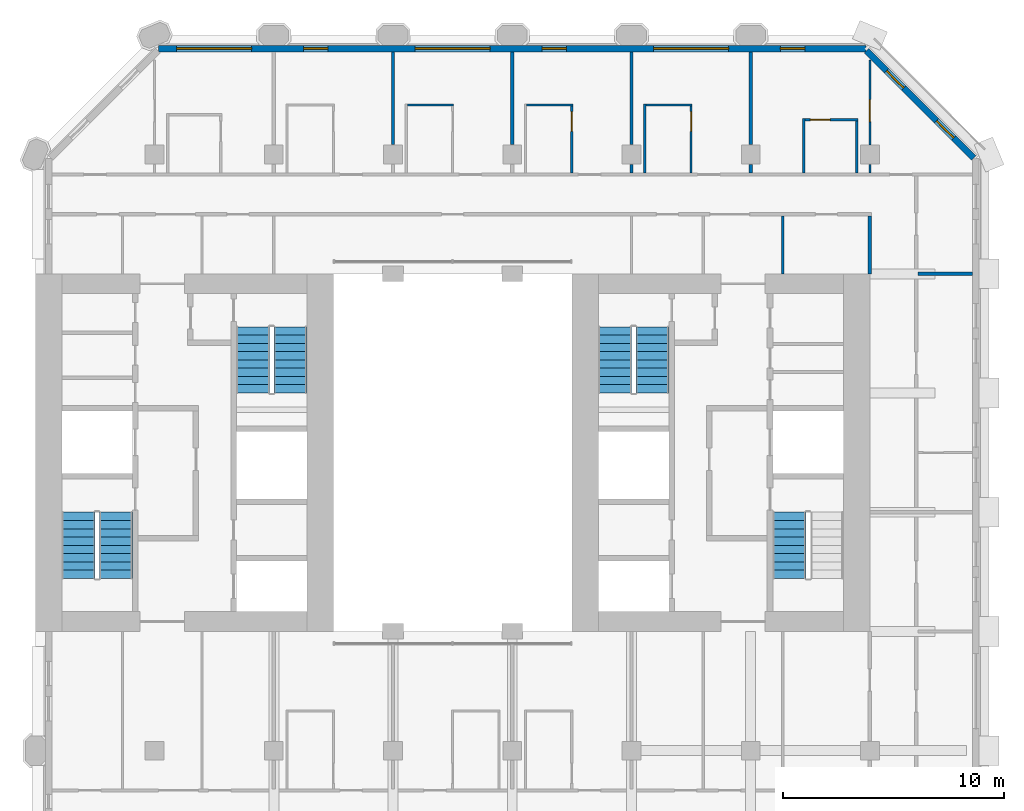
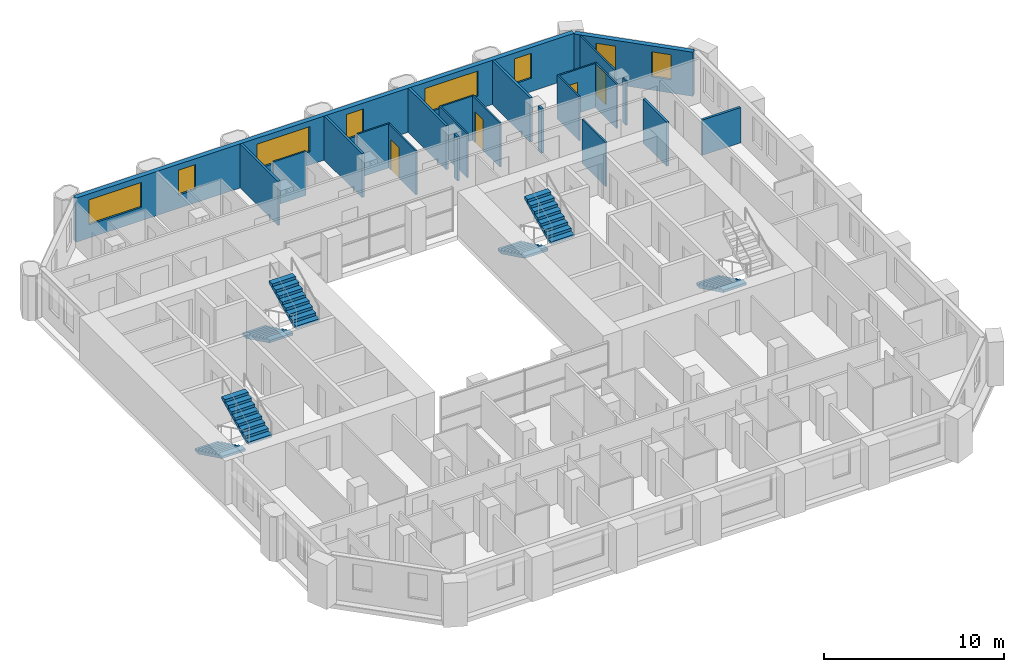
# One storey, part 13 of 16: 22 walls, 8 windows, 7 stair flights, 4 doors, 12 openings, 4 elements without a shape of their own.
"""IFC4 building model written with IfcOpenShell, lengths in metres."""

import ifcopenshell
import ifcopenshell.guid

model = None  # the IFC model being written
_history = None  # IfcOwnerHistory: only IFC2X3 demands one
_inside = {}  # id of a spatial element -> (the spatial element, [elements in it])
_under = {}  # id of a project, library or spatial element -> (it, [spatial elements below it])
_declared = {}  # id of a project -> (the project, [libraries it declares])
_typed = {}  # id of a type object -> (the type object, [elements of that type])
_made_of = {}  # id of a material, layer set ... -> (it, [elements and type objects made of it])


def new_model(schema):
    """Start an empty IFC model of exactly this schema.

    Asked for "IFC4X3", IfcOpenShell would pick the latest addendum, in which some entities
    have other attributes; the version numbers below select the first issue.
    IFC2X3 requires an IfcOwnerHistory on every rooted entity: one is made here for all.
    """
    global model, _history
    if schema == "IFC4X3":
        model = ifcopenshell.file(schema_version=(4, 3, 0, 0))
    else:
        model = ifcopenshell.file(schema=schema)
    _inside.clear()
    _under.clear()
    _declared.clear()
    _typed.clear()
    _made_of.clear()
    _history = None
    if model.schema == "IFC2X3":
        org = make("IfcOrganization", Name="unknown")
        user = make(
            "IfcPersonAndOrganization",
            ThePerson=make("IfcPerson", FamilyName="unknown"),
            TheOrganization=org,
        )
        app = make(
            "IfcApplication",
            ApplicationDeveloper=org,
            Version="unknown",
            ApplicationFullName="unknown",
            ApplicationIdentifier="unknown",
        )
        _history = make(
            "IfcOwnerHistory",
            OwningUser=user,
            OwningApplication=app,
            ChangeAction="ADDED",
            CreationDate=0,
        )
    return model


def make(cls, **values):
    """One entity of the class cls with the attributes given. An attribute that is None is left unset."""
    return model.create_entity(
        cls, **{name: value for name, value in values.items() if value is not None}
    )


def rooted(cls, **values):
    """An entity with a GlobalId (a new one), such as an element, a storey or a relation."""
    return make(cls, GlobalId=ifcopenshell.guid.new(), OwnerHistory=_history, **values)


def si_unit(unit_type, name, prefix=None):
    """IfcSIUnit, for example si_unit("LENGTHUNIT", "METRE", prefix="MILLI")."""
    return make("IfcSIUnit", UnitType=unit_type, Prefix=prefix, Name=name)


def assignment(units):
    """IfcUnitAssignment: the units of a project."""
    return None if units is None else make("IfcUnitAssignment", Units=units)


def point(xyz):
    """IfcCartesianPoint."""
    return None if xyz is None else make("IfcCartesianPoint", Coordinates=xyz)


def direction(xyz):
    """IfcDirection."""
    return None if xyz is None else make("IfcDirection", DirectionRatios=xyz)


def frame(location, z_axis=None, x_axis=None):
    """IfcAxis2Placement3D, a coordinate frame: its origin and axes. An axis left out is left unset."""
    return make(
        "IfcAxis2Placement3D",
        Location=point(location),
        Axis=direction(z_axis),
        RefDirection=direction(x_axis),
    )


def frame_2d(location, x_axis=None):
    """IfcAxis2Placement2D, a coordinate frame in the plane: its origin and x axis."""
    return make(
        "IfcAxis2Placement2D", Location=point(location), RefDirection=direction(x_axis)
    )


def origin():
    """The frame at (0, 0, 0) with its axes left unset."""
    return frame((0.0, 0.0, 0.0))


def place(relative_to, where):
    """IfcLocalPlacement: puts the frame where relative to a parent placement (None: the world)."""
    return make(
        "IfcLocalPlacement", PlacementRelTo=relative_to, RelativePlacement=where
    )


def context(
    kind, dimensions, precision=None, world=None, true_north=None, identifier=None
):
    """IfcGeometricRepresentationContext, for example the 3D "Model" context."""
    return make(
        "IfcGeometricRepresentationContext",
        ContextIdentifier=identifier,
        ContextType=kind,
        CoordinateSpaceDimension=dimensions,
        Precision=precision,
        WorldCoordinateSystem=world,
        TrueNorth=true_north,
    )


def subcontext(parent, identifier, kind, view, scale=None):
    """IfcGeometricRepresentationSubContext, for example "Body" below "Model"."""
    return make(
        "IfcGeometricRepresentationSubContext",
        ContextIdentifier=identifier,
        ContextType=kind,
        ParentContext=parent,
        TargetScale=scale,
        TargetView=view,
    )


def project(units=None, contexts=None):
    """IfcProject with its units and contexts."""
    return rooted(
        "IfcProject",
        Name="project",
        RepresentationContexts=contexts,
        UnitsInContext=assignment(units),
    )


def spatial(cls, under=None, at=None, **own):
    """A site, building, storey or space (cls), placed at a placement, below another one or the project."""
    s = rooted(cls, ObjectPlacement=at, **own)
    if under is not None:
        _under.setdefault(under.id(), (under, []))[1].append(s)
    return s


def polyline(points):
    """IfcPolyline through the points."""
    return make("IfcPolyline", Points=[point(p) for p in points])


def profile(cls, at=None, kind="AREA", **sizes):
    """A parametric profile (cls). Its sizes go by their IFC names, for example OverallWidth=200.0."""
    return make(cls, ProfileType=kind, Position=at, **sizes)


def rectangle(**sizes):
    """IfcRectangleProfileDef."""
    return profile("IfcRectangleProfileDef", **sizes)


def outline(outer, holes=None, kind="AREA"):
    """IfcArbitraryClosedProfileDef: a profile drawn as a closed curve; with holes, ...WithVoids."""
    if holes is None:
        return make("IfcArbitraryClosedProfileDef", ProfileType=kind, OuterCurve=outer)
    return make(
        "IfcArbitraryProfileDefWithVoids",
        ProfileType=kind,
        OuterCurve=outer,
        InnerCurves=holes,
    )


def extrude(swept, where, along, depth):
    """IfcExtrudedAreaSolid: the profile swept, set in the frame where, extruded along a direction by depth."""
    return make(
        "IfcExtrudedAreaSolid",
        SweptArea=swept,
        Position=where,
        ExtrudedDirection=direction(along),
        Depth=depth,
    )


def shape(context_of_items, identifier, shape_type, items):
    """IfcShapeRepresentation: the items that make up one representation, for example the "Body"."""
    return make(
        "IfcShapeRepresentation",
        ContextOfItems=context_of_items,
        RepresentationIdentifier=identifier,
        RepresentationType=shape_type,
        Items=items,
    )


def material(Name=None, Category=None):
    """IfcMaterial."""
    return make("IfcMaterial", Name=Name, Category=Category)


def layer(
    of_material, thickness, ventilated=None, Name=None, Category=None, Priority=None
):
    """IfcMaterialLayer: one layer of a wall or slab, of a material (None: an air gap)."""
    return make(
        "IfcMaterialLayer",
        Material=of_material,
        LayerThickness=thickness,
        IsVentilated=ventilated,
        Name=Name,
        Category=Category,
        Priority=Priority,
    )


def layer_set(layers, Name=None):
    """IfcMaterialLayerSet."""
    return make("IfcMaterialLayerSet", MaterialLayers=layers, LayerSetName=Name)


def made_of(thing, what):
    """Note that an element or type object is made of a material, layer set ...; save() writes the relation."""
    if what is not None:
        _made_of.setdefault(what.id(), (what, []))[1].append(thing)
    return thing


def type_object(cls, material=None, **own):
    """A type object (cls), such as IfcWallType, which elements share."""
    return made_of(rooted(cls, **own), material)


def element(
    cls,
    number,
    at=None,
    inside=None,
    cuts=None,
    type_object=None,
    material=None,
    context=None,
    identifier="Body",
    shape_type=None,
    held_by="IfcProductDefinitionShape",
    body=None,
    shapes=None,
    **own,
):
    """One element of the class cls, such as IfcWall. Its Tag is "e" and its number.

    at: its placement. inside: the storey or other place that contains it. cuts: it is an
    opening in that element (IfcRelVoidsElement). A single representation is given by context,
    identifier, shape_type and body (its items); several are given by shapes. held_by: the class
    of the entity that holds the representations. save() writes the other relations.
    """
    e = rooted(cls, Tag="e%d" % number, ObjectPlacement=at, **own)
    if body is not None:
        shapes = [shape(context, identifier, shape_type, body)]
    if shapes is not None:
        e.Representation = make(held_by, Representations=shapes)
    if inside is not None:
        _inside.setdefault(inside.id(), (inside, []))[1].append(e)
    if cuts is not None:
        rooted(
            "IfcRelVoidsElement", RelatingBuildingElement=cuts, RelatedOpeningElement=e
        )
    if type_object is not None:
        _typed.setdefault(type_object.id(), (type_object, []))[1].append(e)
    return made_of(e, material)


def fill(opening, filler):
    """IfcRelFillsElement: the door or window that sits in an opening."""
    return rooted(
        "IfcRelFillsElement",
        RelatingOpeningElement=opening,
        RelatedBuildingElement=filler,
    )


def aggregate(whole, parts):
    """IfcRelAggregates: a whole, such as a stair, and the parts it consists of."""
    return rooted("IfcRelAggregates", RelatingObject=whole, RelatedObjects=parts)


def save(model, path):
    """Write the relations noted so far, then the file.

    IfcRelAggregates (storeys below a building ...), IfcRelContainedInSpatialStructure (elements
    in a storey), IfcRelDefinesByType, IfcRelAssociatesMaterial and IfcRelDeclares: one each for
    every whole, place, type object, material and project.
    """
    for whole, parts in _under.values():
        aggregate(whole, parts)
    for where, things in _inside.values():
        rooted(
            "IfcRelContainedInSpatialStructure",
            RelatedElements=things,
            RelatingStructure=where,
        )
    for kind, things in _typed.values():
        rooted("IfcRelDefinesByType", RelatedObjects=things, RelatingType=kind)
    for what, things in _made_of.values():
        rooted("IfcRelAssociatesMaterial", RelatedObjects=things, RelatingMaterial=what)
    for by, libraries in _declared.values():
        rooted("IfcRelDeclares", RelatingContext=by, RelatedDefinitions=libraries)
    model.write(path)


model = new_model("IFC4")

# Units and contexts
model_context = context("Model", 3, precision=1e-05, world=origin(), true_north=direction((0.0, 1.0)))
body_context = subcontext(model_context, "Body", "Model", "MODEL_VIEW")
ifc_project = project(units=[si_unit("LENGTHUNIT", "METRE"), si_unit("AREAUNIT", "SQUARE_METRE"), si_unit("VOLUMEUNIT", "CUBIC_METRE"), si_unit("PLANEANGLEUNIT", "RADIAN"), si_unit("MASSUNIT", "GRAM", prefix="KILO")], contexts=[model_context])

# Site, building, storey
site_placement = place(None, origin())
site = spatial("IfcSite", under=ifc_project, at=site_placement, CompositionType="ELEMENT")
building_placement = place(site_placement, origin())
building = spatial("IfcBuilding", under=site, at=building_placement, Name="Tabaq Tower and Sports Hall", CompositionType="ELEMENT")
storey_placement = place(building_placement, frame((0.0, 0.0, 156.10009765625)))
storey = spatial("IfcBuildingStorey", under=building, at=storey_placement, Name="L36", CompositionType="ELEMENT", Elevation=156.10009765625)

# Walls
ifc_material_1 = material(Name="Gypsum board on steel studs", Category="steel")
ifc_layer_1 = layer(ifc_material_1, 0.10009765625)
ifc_layer_set_1 = layer_set([ifc_layer_1], Name="Partition 100 Gypsum board")
wall_type_1 = type_object("IfcWallType", Name="Partition 100 Gypsum board", PredefinedType="PARTITIONING", material=ifc_layer_set_1)
for number, where, z_axis, x_axis, name in (
    (1, (22.25, 40.050048828125, 0.0), (0.0, 0.0, 1.0), (1.0, 0.0, 0.0), "Partition wall L36"),
    (2, (27.64990234375, 40.050048828125, 0.0), (0.0, 0.0, 1.0), (1.0, 0.0, 0.0), "Partition wall L36"),
):
    element("IfcWall", number, at=place(storey_placement, frame(where, z_axis=z_axis, x_axis=x_axis)), inside=storey, type_object=wall_type_1, Name=name, PredefinedType="PARTITIONING", context=body_context, shape_type="SweptSolid", body=[
        extrude(rectangle(XDim=2.10009765625, YDim=0.10009765625, at=frame_2d((1.050048828125, 0.0))), origin(), (0.0, 0.0, 1.0), 3.0),
    ])

# Wall, opening, door
wall_1_placement = place(storey_placement, frame((29.699951171875, 40.0, 0.0), z_axis=(0.0, 0.0, 1.0), x_axis=(0.0, -1.0, 0.0)))
wall_1 = element("IfcWall", 3, at=wall_1_placement, inside=storey, type_object=wall_type_1, Name="Partition wall L36", PredefinedType="PARTITIONING", context=body_context, shape_type="SweptSolid", body=[
    extrude(rectangle(XDim=3.02490234375, YDim=0.10009765625, at=frame_2d((1.512451171875, 0.0))), origin(), (0.0, 0.0, 1.0), 3.0),
])
opening_1_placement = place(wall_1_placement, frame((0.25, 0.0, 0.0)))
opening_1 = element("IfcOpeningElement", 4, at=opening_1_placement, cuts=wall_1, Name="Opening L36-005", PredefinedType="OPENING", context=body_context, shape_type="SweptSolid", body=[
    extrude(rectangle(XDim=0.89990234375, YDim=2.10009765625, at=frame_2d((0.449951171875, 1.050048828125))), frame((0.0, 0.050048828125, 0.0), z_axis=(0.0, -1.0, 0.0), x_axis=(1.0, 0.0, 0.0)), (0.0, 0.0, 1.0), 0.10009765625),
])
ifc_material_2 = material(Name="Timber leaf in steel frame", Category="steel")
door_type_1 = type_object("IfcDoorType", Name="Internal door 900 left hand", OperationType="SINGLE_SWING_LEFT", PredefinedType="DOOR", material=ifc_material_2)
door_1_placement = place(opening_1_placement, origin())
door_1 = element("IfcDoor", 5, at=door_1_placement, inside=storey, type_object=door_type_1, Name="Internal door L36-005", OperationType="SINGLE_SWING_LEFT", OverallHeight=2.10009765625, OverallWidth=0.89990234375, PredefinedType="DOOR", context=body_context, shape_type="SweptSolid", body=[
    extrude(rectangle(XDim=0.89990234375, YDim=2.10009765625, at=frame_2d((0.449951171875, 1.050048828125))), frame((0.0, 0.02490234375, 0.0), z_axis=(0.0, -1.0, 0.0), x_axis=(1.0, 0.0, 0.0)), (0.0, 0.0, 1.0), 0.050048828125),
])
fill(opening_1, door_1)

# Walls
wall_2_placement = place(storey_placement, frame((33.0, 36.97509765625, 0.0), z_axis=(0.0, 0.0, 1.0), x_axis=(0.0, 1.0, 0.0)))
element("IfcWall", 6, at=wall_2_placement, inside=storey, type_object=wall_type_1, Name="Partition wall L36", PredefinedType="PARTITIONING", context=body_context, shape_type="SweptSolid", body=[
    extrude(rectangle(XDim=3.125, YDim=0.10009765625, at=frame_2d((1.5625, 0.0))), origin(), (0.0, 0.0, 1.0), 3.0),
])
wall_3_placement = place(storey_placement, frame((33.050048828125, 40.050048828125, 0.0), z_axis=(0.0, 0.0, 1.0), x_axis=(1.0, 0.0, 0.0)))
element("IfcWall", 7, at=wall_3_placement, inside=storey, type_object=wall_type_1, Name="Partition wall L36", PredefinedType="PARTITIONING", context=body_context, shape_type="SweptSolid", body=[
    extrude(rectangle(XDim=2.099853515625, YDim=0.10009765625, at=frame_2d((1.0498046875, 0.0))), origin(), (0.0, 0.0, 1.0), 3.0),
])

# Wall, opening, door
wall_4_placement = place(storey_placement, frame((35.10009765625, 40.0, 0.0), z_axis=(0.0, 0.0, 1.0), x_axis=(0.0, -1.0, 0.0)))
wall_4 = element("IfcWall", 8, at=wall_4_placement, inside=storey, type_object=wall_type_1, Name="Partition wall L36", PredefinedType="PARTITIONING", context=body_context, shape_type="SweptSolid", body=[
    extrude(rectangle(XDim=3.02490234375, YDim=0.10009765625, at=frame_2d((1.512451171875, 0.0))), origin(), (0.0, 0.0, 1.0), 3.0),
])
opening_2_placement = place(wall_4_placement, frame((0.25, 0.0, 0.0)))
opening_2 = element("IfcOpeningElement", 9, at=opening_2_placement, cuts=wall_4, Name="Opening L36-006", PredefinedType="OPENING", context=body_context, shape_type="SweptSolid", body=[
    extrude(rectangle(XDim=0.89990234375, YDim=2.10009765625, at=frame_2d((0.449951171875, 1.050048828125))), frame((0.0, 0.050048828125, 0.0), z_axis=(0.0, -1.0, 0.0), x_axis=(1.0, 0.0, 0.0)), (0.0, 0.0, 1.0), 0.10009765625),
])
ifc_material_3 = material(Name="Timber leaf in steel frame", Category="steel")
door_type_2 = type_object("IfcDoorType", Name="Internal door 900 right hand", OperationType="SINGLE_SWING_RIGHT", PredefinedType="DOOR", material=ifc_material_3)
door_2_placement = place(opening_2_placement, origin())
door_2 = element("IfcDoor", 10, at=door_2_placement, inside=storey, type_object=door_type_2, Name="Internal door L36-006", OperationType="SINGLE_SWING_RIGHT", OverallHeight=2.10009765625, OverallWidth=0.89990234375, PredefinedType="DOOR", context=body_context, shape_type="SweptSolid", body=[
    extrude(rectangle(XDim=0.89990234375, YDim=2.10009765625, at=frame_2d((0.449951171875, 1.050048828125))), frame((0.0, 0.02490234375, 0.0), z_axis=(0.0, -1.0, 0.0), x_axis=(1.0, 0.0, 0.0)), (0.0, 0.0, 1.0), 0.050048828125),
])
fill(opening_2, door_2)

# Wall
wall_5_placement = place(storey_placement, frame((40.199951171875, 36.97509765625, 0.0), z_axis=(0.0, 0.0, 1.0), x_axis=(0.0, 1.0, 0.0)))
element("IfcWall", 11, at=wall_5_placement, inside=storey, type_object=wall_type_1, Name="Partition wall L36", PredefinedType="PARTITIONING", context=body_context, shape_type="SweptSolid", body=[
    extrude(rectangle(XDim=2.449951171875, YDim=0.10009765625, at=frame_2d((1.22509765625, 0.0))), origin(), (0.0, 0.0, 1.0), 3.0),
])

# Wall, opening, door
wall_6_placement = place(storey_placement, frame((40.25, 39.375, 0.0), z_axis=(0.0, 0.0, 1.0), x_axis=(1.0, 0.0, 0.0)))
wall_6 = element("IfcWall", 12, at=wall_6_placement, inside=storey, type_object=wall_type_1, Name="Partition wall L36", PredefinedType="PARTITIONING", context=body_context, shape_type="SweptSolid", body=[
    extrude(rectangle(XDim=2.39990234375, YDim=0.10009765625, at=frame_2d((1.199951171875, 0.0))), origin(), (0.0, 0.0, 1.0), 3.0),
])
opening_3_placement = place(wall_6_placement, frame((0.25, 0.0, 0.0)))
opening_3 = element("IfcOpeningElement", 13, at=opening_3_placement, cuts=wall_6, Name="Opening L36-007", PredefinedType="OPENING", context=body_context, shape_type="SweptSolid", body=[
    extrude(rectangle(XDim=0.89990234375, YDim=2.10009765625, at=frame_2d((0.449951171875, 1.050048828125))), frame((0.0, 0.050048828125, 0.0), z_axis=(0.0, -1.0, 0.0), x_axis=(1.0, 0.0, 0.0)), (0.0, 0.0, 1.0), 0.10009765625),
])
door_3_placement = place(opening_3_placement, origin())
door_3 = element("IfcDoor", 14, at=door_3_placement, inside=storey, type_object=door_type_2, Name="Internal door L36-007", OperationType="SINGLE_SWING_RIGHT", OverallHeight=2.10009765625, OverallWidth=0.89990234375, PredefinedType="DOOR", context=body_context, shape_type="SweptSolid", body=[
    extrude(rectangle(XDim=0.89990234375, YDim=2.10009765625, at=frame_2d((0.449951171875, 1.050048828125))), frame((0.0, 0.02490234375, 0.0), z_axis=(0.0, -1.0, 0.0), x_axis=(1.0, 0.0, 0.0)), (0.0, 0.0, 1.0), 0.050048828125),
])
fill(opening_3, door_3)

# Walls
wall_7_placement = place(storey_placement, frame((42.60009765625, 39.324951171875, 0.0), z_axis=(0.0, 0.0, 1.0), x_axis=(0.0, -1.0, 0.0)))
element("IfcWall", 15, at=wall_7_placement, inside=storey, type_object=wall_type_1, Name="Partition wall L36", PredefinedType="PARTITIONING", context=body_context, shape_type="SweptSolid", body=[
    extrude(rectangle(XDim=2.349853515625, YDim=0.10009765625, at=frame_2d((1.1748046875, 0.0))), origin(), (0.0, 0.0, 1.0), 3.0),
])
wall_8_placement = place(storey_placement, frame((43.199951171875, 36.97509765625, 0.0), z_axis=(0.0, 0.0, 1.0), x_axis=(0.0, 1.0, 0.0)))
element("IfcWall", 16, at=wall_8_placement, inside=storey, type_object=wall_type_1, Name="Partition wall L36", PredefinedType="PARTITIONING", context=body_context, shape_type="SweptSolid", body=[
    extrude(rectangle(XDim=0.3798828125, YDim=0.10009765625, at=frame_2d((0.18994140625, 0.0))), origin(), (0.0, 0.0, 1.0), 3.0),
])

# Wall, opening, door
wall_9_placement = place(storey_placement, frame((43.199951171875, 38.2451171875, 0.0), z_axis=(0.0, 0.0, 1.0), x_axis=(0.0, 1.0, 0.0)))
wall_9 = element("IfcWall", 17, at=wall_9_placement, inside=storey, type_object=wall_type_1, Name="Partition wall L36", PredefinedType="PARTITIONING", context=body_context, shape_type="SweptSolid", body=[
    extrude(rectangle(XDim=3.8427734375, YDim=0.10009765625, at=frame_2d((1.92138671875, 0.0))), origin(), (0.0, 0.0, 1.0), 3.0),
])
opening_4_placement = place(wall_9_placement, frame((1.04248046875, 0.0, 0.0)))
opening_4 = element("IfcOpeningElement", 18, at=opening_4_placement, cuts=wall_9, Name="Opening L36-036", PredefinedType="OPENING", context=body_context, shape_type="SweptSolid", body=[
    extrude(rectangle(XDim=1.0, YDim=2.10009765625, at=frame_2d((0.5, 1.050048828125))), frame((0.0, 0.050048828125, 0.0), z_axis=(0.0, -1.0, 0.0), x_axis=(1.0, 0.0, 0.0)), (0.0, 0.0, 1.0), 0.10009765625),
])
ifc_material_4 = material(Name="Timber leaf in steel frame", Category="steel")
door_type_3 = type_object("IfcDoorType", Name="Internal door 1000 right hand", OperationType="SINGLE_SWING_RIGHT", PredefinedType="DOOR", material=ifc_material_4)
door_4_placement = place(opening_4_placement, origin())
door_4 = element("IfcDoor", 19, at=door_4_placement, inside=storey, type_object=door_type_3, Name="Internal door L36-036", OperationType="SINGLE_SWING_RIGHT", OverallHeight=2.10009765625, OverallWidth=1.0, PredefinedType="DOOR", context=body_context, shape_type="SweptSolid", body=[
    extrude(rectangle(XDim=1.0, YDim=2.10009765625, at=frame_2d((0.5, 1.050048828125))), frame((0.0, 0.02490234375, 0.0), z_axis=(0.0, -1.0, 0.0), x_axis=(1.0, 0.0, 0.0)), (0.0, 0.0, 1.0), 0.050048828125),
])
fill(opening_4, door_4)

# Walls
wall_10_placement = place(storey_placement, frame((39.25, 32.39990234375, 0.0), z_axis=(0.0, 0.0, 1.0), x_axis=(0.0, 1.0, 0.0)))
element("IfcWall", 20, at=wall_10_placement, inside=storey, type_object=wall_type_1, Name="Partition wall L36", PredefinedType="PARTITIONING", context=body_context, shape_type="SweptSolid", body=[
    extrude(rectangle(XDim=2.625, YDim=0.10009765625, at=frame_2d((1.3125, 0.0))), origin(), (0.0, 0.0, 1.0), 3.0),
])
ifc_material_5 = material(Name="Blockwork", Category="masonry")
ifc_layer_2 = layer(ifc_material_5, 0.14990234375)
ifc_layer_set_2 = layer_set([ifc_layer_2], Name="Separating wall 150 Blockwork")
wall_type_2 = type_object("IfcWallType", Name="Separating wall 150 Blockwork", PredefinedType="PARTITIONING", material=ifc_layer_set_2)
wall_11_placement = place(storey_placement, frame((45.375, 32.39990234375, 0.0), z_axis=(0.0, 0.0, 1.0), x_axis=(1.0, 0.0, 0.0)))
element("IfcWall", 21, at=wall_11_placement, inside=storey, type_object=wall_type_2, Name="Separating wall L36", PredefinedType="PARTITIONING", context=body_context, shape_type="SweptSolid", body=[
    extrude(rectangle(XDim=2.47412109375, YDim=0.14990234375, at=frame_2d((1.237060546875, 0.0))), origin(), (0.0, 0.0, 1.0), 2.39990234375),
])
for number, where, z_axis, x_axis, name in (
    (22, (21.60009765625, 38.2451171875, 0.0), (0.0, 0.0, 1.0), (0.0, 1.0, 0.0), "Separating wall L36"),
    (23, (27.0, 38.2451171875, 0.0), (0.0, 0.0, 1.0), (0.0, 1.0, 0.0), "Separating wall L36"),
):
    element("IfcWall", number, at=place(storey_placement, frame(where, z_axis=z_axis, x_axis=x_axis)), inside=storey, type_object=wall_type_2, Name=name, PredefinedType="PARTITIONING", context=body_context, shape_type="SweptSolid", body=[
        extrude(rectangle(XDim=4.203857421875, YDim=0.14990234375, at=frame_2d((2.10205078125, 0.0))), origin(), (0.0, 0.0, 1.0), 3.0),
    ])
wall_12_placement = place(storey_placement, frame((32.39990234375, 36.97509765625, 0.0), z_axis=(0.0, 0.0, 1.0), x_axis=(0.0, 1.0, 0.0)))
element("IfcWall", 24, at=wall_12_placement, inside=storey, type_object=wall_type_2, Name="Separating wall L36", PredefinedType="PARTITIONING", context=body_context, shape_type="SweptSolid", body=[
    extrude(rectangle(XDim=0.3798828125, YDim=0.14990234375, at=frame_2d((0.18994140625, 0.0))), origin(), (0.0, 0.0, 1.0), 3.0),
])
wall_13_placement = place(storey_placement, frame((32.39990234375, 38.2451171875, 0.0), z_axis=(0.0, 0.0, 1.0), x_axis=(0.0, 1.0, 0.0)))
element("IfcWall", 25, at=wall_13_placement, inside=storey, type_object=wall_type_2, Name="Separating wall L36", PredefinedType="PARTITIONING", context=body_context, shape_type="SweptSolid", body=[
    extrude(rectangle(XDim=4.203857421875, YDim=0.14990234375, at=frame_2d((2.10205078125, 0.0))), origin(), (0.0, 0.0, 1.0), 3.0),
])
wall_14_placement = place(storey_placement, frame((37.800048828125, 36.97509765625, 0.0), z_axis=(0.0, 0.0, 1.0), x_axis=(0.0, 1.0, 0.0)))
element("IfcWall", 26, at=wall_14_placement, inside=storey, type_object=wall_type_2, Name="Separating wall L36", PredefinedType="PARTITIONING", context=body_context, shape_type="SweptSolid", body=[
    extrude(rectangle(XDim=0.3798828125, YDim=0.14990234375, at=frame_2d((0.18994140625, 0.0))), origin(), (0.0, 0.0, 1.0), 3.0),
])
wall_15_placement = place(storey_placement, frame((37.800048828125, 38.2451171875, 0.0), z_axis=(0.0, 0.0, 1.0), x_axis=(0.0, 1.0, 0.0)))
element("IfcWall", 27, at=wall_15_placement, inside=storey, type_object=wall_type_2, Name="Separating wall L36", PredefinedType="PARTITIONING", context=body_context, shape_type="SweptSolid", body=[
    extrude(rectangle(XDim=4.203857421875, YDim=0.14990234375, at=frame_2d((2.10205078125, 0.0))), origin(), (0.0, 0.0, 1.0), 3.0),
])
wall_16_placement = place(storey_placement, frame((43.199951171875, 35.02490234375, 0.0), z_axis=(0.0, 0.0, 1.0), x_axis=(0.0, -1.0, 0.0)))
element("IfcWall", 28, at=wall_16_placement, inside=storey, type_object=wall_type_2, Name="Separating wall L36", PredefinedType="PARTITIONING", context=body_context, shape_type="SweptSolid", body=[
    extrude(rectangle(XDim=2.625, YDim=0.14990234375, at=frame_2d((1.3125, 0.0))), origin(), (0.0, 0.0, 1.0), 3.0),
])

# Wall, openings, windows
ifc_material_6 = material(Name="White precast concrete C60/75", Category="concrete")
ifc_layer_3 = layer(ifc_material_6, 0.300048828125)
ifc_layer_set_3 = layer_set([ifc_layer_3], Name="White precast concrete C60/75 external wall 300")
wall_type_3 = type_object("IfcWallType", Name="White precast concrete C60/75 external wall 300", PredefinedType="SOLIDWALL", material=ifc_layer_set_3)
wall_17_placement = place(storey_placement, frame((47.901123046875, 37.650390625, 0.0), z_axis=(0.0, 0.0, 1.0), x_axis=(-0.707106781187, 0.707106781187, 0.0)))
wall_17 = element("IfcWall", 29, at=wall_17_placement, inside=storey, type_object=wall_type_3, Name="External Wall L36 NE", PredefinedType="SOLIDWALL", context=body_context, shape_type="SweptSolid", body=[
    extrude(rectangle(XDim=6.85986328125, YDim=0.300048828125, at=frame_2d((3.429931640625, 0.0))), origin(), (0.0, 0.0, 1.0), 3.0),
])
opening_5_placement = place(wall_17_placement, frame((1.27978515625, 0.0, 0.89990234375)))
opening_5 = element("IfcOpeningElement", 30, at=opening_5_placement, cuts=wall_17, Name="Opening W1B", PredefinedType="OPENING", context=body_context, shape_type="SweptSolid", body=[
    extrude(rectangle(XDim=1.10009765625, YDim=1.699951171875, at=frame_2d((0.550048828125, 0.85009765625))), frame((0.0, 0.16015625, 0.0), z_axis=(0.0, -1.0, 0.0), x_axis=(1.0, 0.0, 0.0)), (0.0, 0.0, 1.0), 0.320068359375),
])
opening_6_placement = place(wall_17_placement, frame((4.479736328125, 0.0, 0.89990234375)))
opening_6 = element("IfcOpeningElement", 31, at=opening_6_placement, cuts=wall_17, Name="Opening W1B", PredefinedType="OPENING", context=body_context, shape_type="SweptSolid", body=[
    extrude(rectangle(XDim=1.10009765625, YDim=1.699951171875, at=frame_2d((0.550048828125, 0.85009765625))), frame((0.0, 0.16015625, 0.0), z_axis=(0.0, -1.0, 0.0), x_axis=(1.0, 0.0, 0.0)), (0.0, 0.0, 1.0), 0.320068359375),
])
ifc_material_7 = material(Name="Aluminium framed clear glazing", Category="aluminium")
window_type_1 = type_object("IfcWindowType", Name="Window W1B", PartitioningType="SINGLE_PANEL", PredefinedType="WINDOW", material=ifc_material_7)
window_1_placement = place(opening_5_placement, origin())
window_1 = element("IfcWindow", 32, at=window_1_placement, inside=storey, type_object=window_type_1, Name="Window W1B L36", OverallHeight=1.699951171875, OverallWidth=1.10009765625, PartitioningType="SINGLE_PANEL", PredefinedType="WINDOW", context=body_context, shape_type="SweptSolid", body=[
    extrude(rectangle(XDim=1.10009765625, YDim=1.699951171875, at=frame_2d((0.550048828125, 0.85009765625))), frame((0.0, 0.030029296875, 0.0), z_axis=(0.0, -1.0, 0.0), x_axis=(1.0, 0.0, 0.0)), (0.0, 0.0, 1.0), 0.06005859375),
])
fill(opening_5, window_1)
window_2_placement = place(opening_6_placement, origin())
window_2 = element("IfcWindow", 33, at=window_2_placement, inside=storey, type_object=window_type_1, Name="Window W1B L36", OverallHeight=1.699951171875, OverallWidth=1.10009765625, PartitioningType="SINGLE_PANEL", PredefinedType="WINDOW", context=body_context, shape_type="SweptSolid", body=[
    extrude(rectangle(XDim=1.10009765625, YDim=1.699951171875, at=frame_2d((0.550048828125, 0.85009765625))), frame((0.0, 0.030029296875, 0.0), z_axis=(0.0, -1.0, 0.0), x_axis=(1.0, 0.0, 0.0)), (0.0, 0.0, 1.0), 0.06005859375),
])
fill(opening_6, window_2)

wall_18_placement = place(storey_placement, frame((43.013671875, 42.60009765625, 0.0), z_axis=(0.0, 0.0, 1.0), x_axis=(-1.0, 0.0, 0.0)))
wall_18 = element("IfcWall", 34, at=wall_18_placement, inside=storey, type_object=wall_type_3, Name="External Wall L36 N", PredefinedType="SOLIDWALL", context=body_context, shape_type="SweptSolid", body=[
    extrude(rectangle(XDim=32.02734375, YDim=0.300048828125, at=frame_2d((16.013671875, 0.0))), origin(), (0.0, 0.0, 1.0), 3.0),
])
opening_7_placement = place(wall_18_placement, frame((2.763671875, 0.0, 0.89990234375)))
opening_7 = element("IfcOpeningElement", 35, at=opening_7_placement, cuts=wall_18, Name="Opening W1B", PredefinedType="OPENING", context=body_context, shape_type="SweptSolid", body=[
    extrude(rectangle(XDim=1.10009765625, YDim=1.699951171875, at=frame_2d((0.550048828125, 0.85009765625))), frame((0.0, 0.16015625, 0.0), z_axis=(0.0, -1.0, 0.0), x_axis=(1.0, 0.0, 0.0)), (0.0, 0.0, 1.0), 0.320068359375),
])
opening_8_placement = place(wall_18_placement, frame((6.213623046875, 0.0, 0.89990234375)))
opening_8 = element("IfcOpeningElement", 36, at=opening_8_placement, cuts=wall_18, Name="Opening W1A", PredefinedType="OPENING", context=body_context, shape_type="SweptSolid", body=[
    extrude(rectangle(XDim=3.39990234375, YDim=1.699951171875, at=frame_2d((1.699951171875, 0.85009765625))), frame((0.0, 0.16015625, 0.0), z_axis=(0.0, -1.0, 0.0), x_axis=(1.0, 0.0, 0.0)), (0.0, 0.0, 1.0), 0.320068359375),
])
opening_9_placement = place(wall_18_placement, frame((13.563720703125, 0.0, 0.89990234375)))
opening_9 = element("IfcOpeningElement", 37, at=opening_9_placement, cuts=wall_18, Name="Opening W1B", PredefinedType="OPENING", context=body_context, shape_type="SweptSolid", body=[
    extrude(rectangle(XDim=1.10009765625, YDim=1.699951171875, at=frame_2d((0.550048828125, 0.85009765625))), frame((0.0, 0.16015625, 0.0), z_axis=(0.0, -1.0, 0.0), x_axis=(1.0, 0.0, 0.0)), (0.0, 0.0, 1.0), 0.320068359375),
])
opening_10_placement = place(wall_18_placement, frame((17.013671875, 0.0, 0.89990234375)))
opening_10 = element("IfcOpeningElement", 38, at=opening_10_placement, cuts=wall_18, Name="Opening W1A", PredefinedType="OPENING", context=body_context, shape_type="SweptSolid", body=[
    extrude(rectangle(XDim=3.39990234375, YDim=1.699951171875, at=frame_2d((1.699951171875, 0.85009765625))), frame((0.0, 0.16015625, 0.0), z_axis=(0.0, -1.0, 0.0), x_axis=(1.0, 0.0, 0.0)), (0.0, 0.0, 1.0), 0.320068359375),
])
opening_11_placement = place(wall_18_placement, frame((24.363525390625, 0.0, 0.89990234375)))
opening_11 = element("IfcOpeningElement", 39, at=opening_11_placement, cuts=wall_18, Name="Opening W1B", PredefinedType="OPENING", context=body_context, shape_type="SweptSolid", body=[
    extrude(rectangle(XDim=1.10009765625, YDim=1.699951171875, at=frame_2d((0.550048828125, 0.85009765625))), frame((0.0, 0.16015625, 0.0), z_axis=(0.0, -1.0, 0.0), x_axis=(1.0, 0.0, 0.0)), (0.0, 0.0, 1.0), 0.320068359375),
])
opening_12_placement = place(wall_18_placement, frame((27.813720703125, 0.0, 0.89990234375)))
opening_12 = element("IfcOpeningElement", 40, at=opening_12_placement, cuts=wall_18, Name="Opening W1A", PredefinedType="OPENING", context=body_context, shape_type="SweptSolid", body=[
    extrude(rectangle(XDim=3.39990234375, YDim=1.699951171875, at=frame_2d((1.699951171875, 0.85009765625))), frame((0.0, 0.16015625, 0.0), z_axis=(0.0, -1.0, 0.0), x_axis=(1.0, 0.0, 0.0)), (0.0, 0.0, 1.0), 0.320068359375),
])
ifc_material_8 = material(Name="Aluminium framed clear glazing", Category="aluminium")
window_type_2 = type_object("IfcWindowType", Name="Window W1A", PartitioningType="SINGLE_PANEL", PredefinedType="WINDOW", material=ifc_material_8)
window_3_placement = place(opening_8_placement, origin())
window_3 = element("IfcWindow", 41, at=window_3_placement, inside=storey, type_object=window_type_2, Name="Window W1A L36", OverallHeight=1.699951171875, OverallWidth=3.39990234375, PartitioningType="SINGLE_PANEL", PredefinedType="WINDOW", context=body_context, shape_type="SweptSolid", body=[
    extrude(rectangle(XDim=3.39990234375, YDim=1.699951171875, at=frame_2d((1.699951171875, 0.85009765625))), frame((0.0, 0.030029296875, 0.0), z_axis=(0.0, -1.0, 0.0), x_axis=(1.0, 0.0, 0.0)), (0.0, 0.0, 1.0), 0.06005859375),
])
fill(opening_8, window_3)
window_4_placement = place(opening_10_placement, origin())
window_4 = element("IfcWindow", 42, at=window_4_placement, inside=storey, type_object=window_type_2, Name="Window W1A L36", OverallHeight=1.699951171875, OverallWidth=3.39990234375, PartitioningType="SINGLE_PANEL", PredefinedType="WINDOW", context=body_context, shape_type="SweptSolid", body=[
    extrude(rectangle(XDim=3.39990234375, YDim=1.699951171875, at=frame_2d((1.699951171875, 0.85009765625))), frame((0.0, 0.030029296875, 0.0), z_axis=(0.0, -1.0, 0.0), x_axis=(1.0, 0.0, 0.0)), (0.0, 0.0, 1.0), 0.06005859375),
])
fill(opening_10, window_4)
window_5_placement = place(opening_12_placement, origin())
window_5 = element("IfcWindow", 43, at=window_5_placement, inside=storey, type_object=window_type_2, Name="Window W1A L36", OverallHeight=1.699951171875, OverallWidth=3.39990234375, PartitioningType="SINGLE_PANEL", PredefinedType="WINDOW", context=body_context, shape_type="SweptSolid", body=[
    extrude(rectangle(XDim=3.39990234375, YDim=1.699951171875, at=frame_2d((1.699951171875, 0.85009765625))), frame((0.0, 0.030029296875, 0.0), z_axis=(0.0, -1.0, 0.0), x_axis=(1.0, 0.0, 0.0)), (0.0, 0.0, 1.0), 0.06005859375),
])
fill(opening_12, window_5)
window_6_placement = place(opening_7_placement, origin())
window_6 = element("IfcWindow", 44, at=window_6_placement, inside=storey, type_object=window_type_1, Name="Window W1B L36", OverallHeight=1.699951171875, OverallWidth=1.10009765625, PartitioningType="SINGLE_PANEL", PredefinedType="WINDOW", context=body_context, shape_type="SweptSolid", body=[
    extrude(rectangle(XDim=1.10009765625, YDim=1.699951171875, at=frame_2d((0.550048828125, 0.85009765625))), frame((0.0, 0.030029296875, 0.0), z_axis=(0.0, -1.0, 0.0), x_axis=(1.0, 0.0, 0.0)), (0.0, 0.0, 1.0), 0.06005859375),
])
fill(opening_7, window_6)
window_7_placement = place(opening_9_placement, origin())
window_7 = element("IfcWindow", 45, at=window_7_placement, inside=storey, type_object=window_type_1, Name="Window W1B L36", OverallHeight=1.699951171875, OverallWidth=1.10009765625, PartitioningType="SINGLE_PANEL", PredefinedType="WINDOW", context=body_context, shape_type="SweptSolid", body=[
    extrude(rectangle(XDim=1.10009765625, YDim=1.699951171875, at=frame_2d((0.550048828125, 0.85009765625))), frame((0.0, 0.030029296875, 0.0), z_axis=(0.0, -1.0, 0.0), x_axis=(1.0, 0.0, 0.0)), (0.0, 0.0, 1.0), 0.06005859375),
])
fill(opening_9, window_7)
window_8_placement = place(opening_11_placement, origin())
window_8 = element("IfcWindow", 46, at=window_8_placement, inside=storey, type_object=window_type_1, Name="Window W1B L36", OverallHeight=1.699951171875, OverallWidth=1.10009765625, PartitioningType="SINGLE_PANEL", PredefinedType="WINDOW", context=body_context, shape_type="SweptSolid", body=[
    extrude(rectangle(XDim=1.10009765625, YDim=1.699951171875, at=frame_2d((0.550048828125, 0.85009765625))), frame((0.0, 0.030029296875, 0.0), z_axis=(0.0, -1.0, 0.0), x_axis=(1.0, 0.0, 0.0)), (0.0, 0.0, 1.0), 0.06005859375),
])
fill(opening_11, window_8)

# Stair, stair flights
ifc_material_9 = material(Name="Concrete C40/50", Category="concrete")
stair_type = type_object("IfcStairType", Name="Exit stair", PredefinedType="HALF_TURN_STAIR", material=ifc_material_9)
stair_1_placement = place(storey_placement, origin())
stair_1 = element("IfcStair", 47, at=stair_1_placement, inside=storey, type_object=stair_type, Name="L36 Exit stair ST1", PredefinedType="HALF_TURN_STAIR")
ifc_material_10 = material(Name="Concrete C40/50", Category="concrete")
stair_flight_type = type_object("IfcStairFlightType", Name="Exit stair flight", PredefinedType="STRAIGHT", material=ifc_material_10)
stair_flight_1_placement = place(storey_placement, frame((7.35009765625, 21.60009765625, 0.0), z_axis=(0.0, 0.0, 1.0), x_axis=(0.0, -1.0, 0.0)))
stair_flight_1 = element("IfcStairFlight", 48, at=stair_flight_1_placement, type_object=stair_flight_type, Name="ST1 flight 1", NumberOfRisers=9, NumberOfTreads=8, PredefinedType="STRAIGHT", RiserHeight=0.183333333, TreadLength=0.375, context=body_context, shape_type="SweptSolid", body=[
    extrude(outline(polyline([(0.0, 0.0), (0.0, 0.183349609375), (0.375, 0.183349609375), (0.375, 0.36669921875), (0.75, 0.36669921875), (0.75, 0.550048828125), (1.125, 0.550048828125), (1.125, 0.7333984375), (1.5, 0.7333984375), (1.5, 0.916748046875), (1.875, 0.916748046875), (1.875, 1.10009765625), (2.25, 1.10009765625), (2.25, 1.283447265625), (2.625, 1.283447265625), (2.625, 1.466552734375), (3.0, 1.466552734375), (3.0, 1.64990234375), (3.0, 1.2998046875), (0.34130859375, 0.0), (0.0, 0.0)])), frame((0.0, 0.75, 0.0), z_axis=(0.0, -1.0, 0.0), x_axis=(1.0, 0.0, 0.0)), (0.0, 0.0, 1.0), 1.5),
])
stair_flight_2_placement = place(storey_placement, frame((9.050048828125, 18.60009765625, 1.64990234375), z_axis=(0.0, 0.0, 1.0), x_axis=(0.0, 1.0, 0.0)))
stair_flight_2 = element("IfcStairFlight", 49, at=stair_flight_2_placement, type_object=stair_flight_type, Name="ST1 flight 2", NumberOfRisers=9, NumberOfTreads=8, PredefinedType="STRAIGHT", RiserHeight=0.183333333, TreadLength=0.375, context=body_context, shape_type="SweptSolid", body=[
    extrude(outline(polyline([(0.0, 0.0), (0.0, 0.183349609375), (0.375, 0.183349609375), (0.375, 0.36669921875), (0.75, 0.36669921875), (0.75, 0.550048828125), (1.125, 0.550048828125), (1.125, 0.7333984375), (1.5, 0.7333984375), (1.5, 0.916748046875), (1.875, 0.916748046875), (1.875, 1.10009765625), (2.25, 1.10009765625), (2.25, 1.283447265625), (2.625, 1.283447265625), (2.625, 1.466552734375), (3.0, 1.466552734375), (3.0, 1.64990234375), (3.0, 1.2998046875), (0.34130859375, 0.0), (0.0, 0.0)])), frame((0.0, 0.75, 0.0), z_axis=(0.0, -1.0, 0.0), x_axis=(1.0, 0.0, 0.0)), (0.0, 0.0, 1.0), 1.5),
])
aggregate(stair_1, [stair_flight_1, stair_flight_2])

stair_2_placement = place(storey_placement, origin())
stair_2 = element("IfcStair", 50, at=stair_2_placement, inside=storey, type_object=stair_type, Name="L36 Exit stair ST2", PredefinedType="HALF_TURN_STAIR")
stair_flight_3_placement = place(storey_placement, frame((15.25, 30.0, 0.0), z_axis=(0.0, 0.0, 1.0), x_axis=(0.0, -1.0, 0.0)))
stair_flight_3 = element("IfcStairFlight", 51, at=stair_flight_3_placement, type_object=stair_flight_type, Name="ST2 flight 1", NumberOfRisers=9, NumberOfTreads=8, PredefinedType="STRAIGHT", RiserHeight=0.183333333, TreadLength=0.375, context=body_context, shape_type="SweptSolid", body=[
    extrude(outline(polyline([(0.0, 0.0), (0.0, 0.183349609375), (0.375, 0.183349609375), (0.375, 0.36669921875), (0.75, 0.36669921875), (0.75, 0.550048828125), (1.125, 0.550048828125), (1.125, 0.7333984375), (1.5, 0.7333984375), (1.5, 0.916748046875), (1.875, 0.916748046875), (1.875, 1.10009765625), (2.25, 1.10009765625), (2.25, 1.283447265625), (2.625, 1.283447265625), (2.625, 1.466552734375), (3.0, 1.466552734375), (3.0, 1.64990234375), (3.0, 1.2998046875), (0.34130859375, 0.0), (0.0, 0.0)])), frame((0.0, 0.75, 0.0), z_axis=(0.0, -1.0, 0.0), x_axis=(1.0, 0.0, 0.0)), (0.0, 0.0, 1.0), 1.5),
])
stair_flight_4_placement = place(storey_placement, frame((16.949951171875, 27.0, 1.64990234375), z_axis=(0.0, 0.0, 1.0), x_axis=(0.0, 1.0, 0.0)))
stair_flight_4 = element("IfcStairFlight", 52, at=stair_flight_4_placement, type_object=stair_flight_type, Name="ST2 flight 2", NumberOfRisers=9, NumberOfTreads=8, PredefinedType="STRAIGHT", RiserHeight=0.183333333, TreadLength=0.375, context=body_context, shape_type="SweptSolid", body=[
    extrude(outline(polyline([(0.0, 0.0), (0.0, 0.183349609375), (0.375, 0.183349609375), (0.375, 0.36669921875), (0.75, 0.36669921875), (0.75, 0.550048828125), (1.125, 0.550048828125), (1.125, 0.7333984375), (1.5, 0.7333984375), (1.5, 0.916748046875), (1.875, 0.916748046875), (1.875, 1.10009765625), (2.25, 1.10009765625), (2.25, 1.283447265625), (2.625, 1.283447265625), (2.625, 1.466552734375), (3.0, 1.466552734375), (3.0, 1.64990234375), (3.0, 1.2998046875), (0.34130859375, 0.0), (0.0, 0.0)])), frame((0.0, 0.75, 0.0), z_axis=(0.0, -1.0, 0.0), x_axis=(1.0, 0.0, 0.0)), (0.0, 0.0, 1.0), 1.5),
])
aggregate(stair_2, [stair_flight_3, stair_flight_4])

# Stair, stair flight
stair_3_placement = place(storey_placement, origin())
stair_3 = element("IfcStair", 53, at=stair_3_placement, inside=storey, type_object=stair_type, Name="L36 Exit stair ST3", PredefinedType="HALF_TURN_STAIR")
stair_flight_5_placement = place(storey_placement, frame((39.550048828125, 21.60009765625, 0.0), z_axis=(0.0, 0.0, 1.0), x_axis=(0.0, -1.0, 0.0)))
stair_flight_5 = element("IfcStairFlight", 54, at=stair_flight_5_placement, type_object=stair_flight_type, Name="ST3 flight 1", NumberOfRisers=9, NumberOfTreads=8, PredefinedType="STRAIGHT", RiserHeight=0.183333333, TreadLength=0.375, context=body_context, shape_type="SweptSolid", body=[
    extrude(outline(polyline([(0.0, 0.0), (0.0, 0.183349609375), (0.375, 0.183349609375), (0.375, 0.36669921875), (0.75, 0.36669921875), (0.75, 0.550048828125), (1.125, 0.550048828125), (1.125, 0.7333984375), (1.5, 0.7333984375), (1.5, 0.916748046875), (1.875, 0.916748046875), (1.875, 1.10009765625), (2.25, 1.10009765625), (2.25, 1.283447265625), (2.625, 1.283447265625), (2.625, 1.466552734375), (3.0, 1.466552734375), (3.0, 1.64990234375), (3.0, 1.2998046875), (0.34130859375, 0.0), (0.0, 0.0)])), frame((0.0, 0.75, 0.0), z_axis=(0.0, -1.0, 0.0), x_axis=(1.0, 0.0, 0.0)), (0.0, 0.0, 1.0), 1.5),
])
aggregate(stair_3, [stair_flight_5])

# Stair, stair flights
stair_4_placement = place(storey_placement, origin())
stair_4 = element("IfcStair", 55, at=stair_4_placement, inside=storey, type_object=stair_type, Name="L36 Exit stair ST4", PredefinedType="HALF_TURN_STAIR")
stair_flight_6_placement = place(storey_placement, frame((31.64990234375, 30.0, 0.0), z_axis=(0.0, 0.0, 1.0), x_axis=(0.0, -1.0, 0.0)))
stair_flight_6 = element("IfcStairFlight", 56, at=stair_flight_6_placement, type_object=stair_flight_type, Name="ST4 flight 1", NumberOfRisers=9, NumberOfTreads=8, PredefinedType="STRAIGHT", RiserHeight=0.183333333, TreadLength=0.375, context=body_context, shape_type="SweptSolid", body=[
    extrude(outline(polyline([(0.0, 0.0), (0.0, 0.183349609375), (0.375, 0.183349609375), (0.375, 0.36669921875), (0.75, 0.36669921875), (0.75, 0.550048828125), (1.125, 0.550048828125), (1.125, 0.7333984375), (1.5, 0.7333984375), (1.5, 0.916748046875), (1.875, 0.916748046875), (1.875, 1.10009765625), (2.25, 1.10009765625), (2.25, 1.283447265625), (2.625, 1.283447265625), (2.625, 1.466552734375), (3.0, 1.466552734375), (3.0, 1.64990234375), (3.0, 1.2998046875), (0.34130859375, 0.0), (0.0, 0.0)])), frame((0.0, 0.75, 0.0), z_axis=(0.0, -1.0, 0.0), x_axis=(1.0, 0.0, 0.0)), (0.0, 0.0, 1.0), 1.5),
])
stair_flight_7_placement = place(storey_placement, frame((33.35009765625, 27.0, 1.64990234375), z_axis=(0.0, 0.0, 1.0), x_axis=(0.0, 1.0, 0.0)))
stair_flight_7 = element("IfcStairFlight", 57, at=stair_flight_7_placement, type_object=stair_flight_type, Name="ST4 flight 2", NumberOfRisers=9, NumberOfTreads=8, PredefinedType="STRAIGHT", RiserHeight=0.183333333, TreadLength=0.375, context=body_context, shape_type="SweptSolid", body=[
    extrude(outline(polyline([(0.0, 0.0), (0.0, 0.183349609375), (0.375, 0.183349609375), (0.375, 0.36669921875), (0.75, 0.36669921875), (0.75, 0.550048828125), (1.125, 0.550048828125), (1.125, 0.7333984375), (1.5, 0.7333984375), (1.5, 0.916748046875), (1.875, 0.916748046875), (1.875, 1.10009765625), (2.25, 1.10009765625), (2.25, 1.283447265625), (2.625, 1.283447265625), (2.625, 1.466552734375), (3.0, 1.466552734375), (3.0, 1.64990234375), (3.0, 1.2998046875), (0.34130859375, 0.0), (0.0, 0.0)])), frame((0.0, 0.75, 0.0), z_axis=(0.0, -1.0, 0.0), x_axis=(1.0, 0.0, 0.0)), (0.0, 0.0, 1.0), 1.5),
])
aggregate(stair_4, [stair_flight_6, stair_flight_7])

save(model, "model.ifc")
